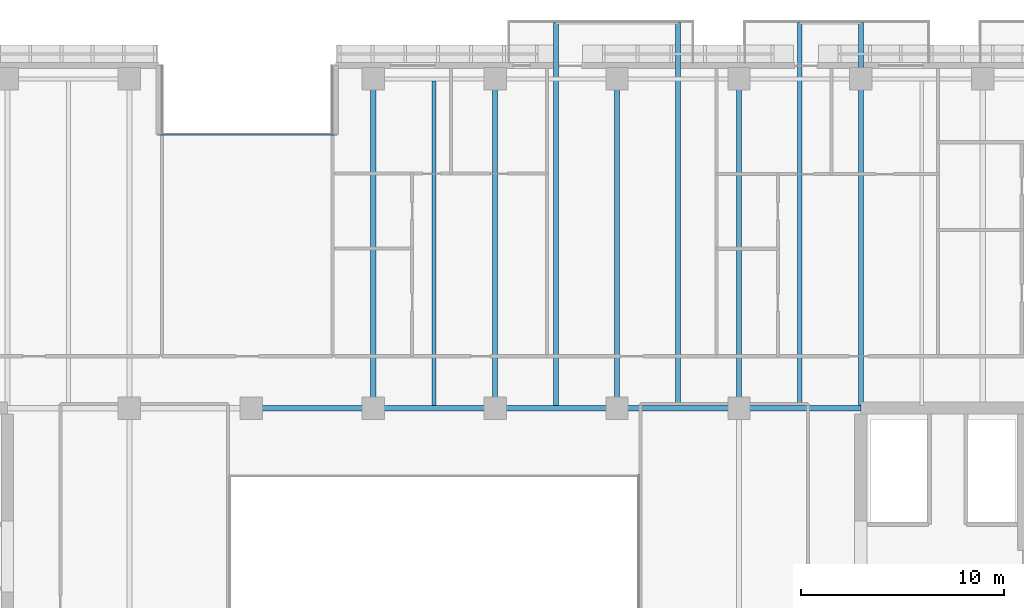
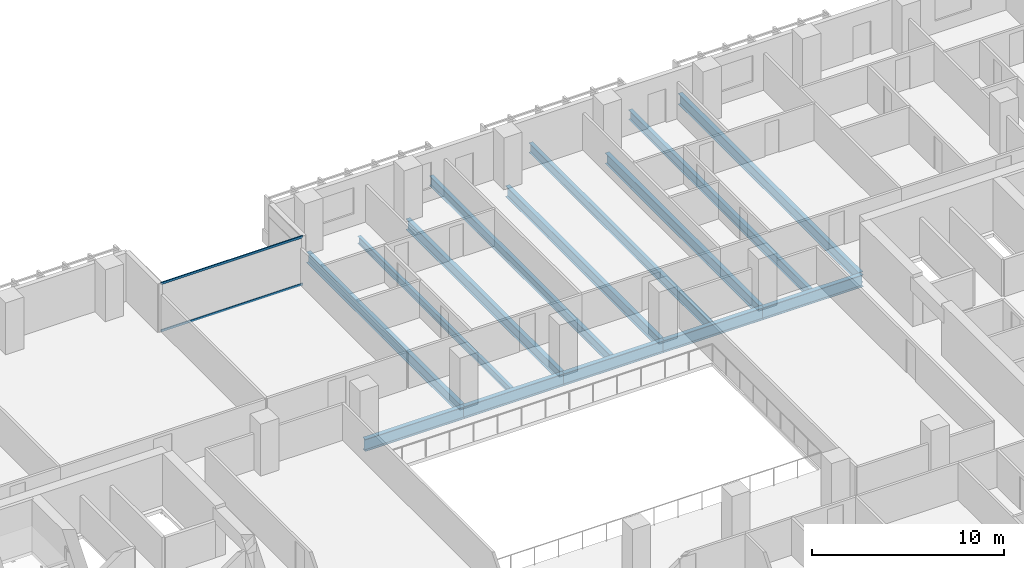
# One storey, part 10 of 34: 14 beams, 2 members, 1 element without a shape of its own.
"""IFC4 building model written with IfcOpenShell, lengths in metres."""

from ifc_helpers import new_model, si_unit, direction, frame, origin, origin_2d, place, context, subcontext, project, spatial, hollow_rectangle, i_section, extrude, material, layer, layer_set, material_profile, profile_set, type_object, element, aggregate, save


model = new_model("IFC4")

# Units and contexts
model_context = context("Model", 3, precision=1e-05, world=origin(), true_north=direction((0.0, 1.0)))
body_context = subcontext(model_context, "Body", "Model", "MODEL_VIEW")
ifc_project = project(units=[si_unit("LENGTHUNIT", "METRE"), si_unit("AREAUNIT", "SQUARE_METRE"), si_unit("VOLUMEUNIT", "CUBIC_METRE"), si_unit("PLANEANGLEUNIT", "RADIAN"), si_unit("MASSUNIT", "GRAM", prefix="KILO")], contexts=[model_context])

# Site, building, storey
site_placement = place(None, origin())
site = spatial("IfcSite", under=ifc_project, at=site_placement, CompositionType="ELEMENT")
building_placement = place(site_placement, origin())
building = spatial("IfcBuilding", under=site, at=building_placement, Name="Tanjung Sevakor Pilgrim Tower", CompositionType="ELEMENT")
storey_placement = place(building_placement, frame((0.0, 0.0, 55.43994140625)))
storey = spatial("IfcBuildingStorey", under=building, at=storey_placement, Name="L15", CompositionType="ELEMENT", Elevation=55.43994140625)

# Beams
ifc_material_1 = material(Name="Steel S355J2", Category="steel")
ifc_material_profile_1 = material_profile(ifc_material_1, i_section(OverallWidth=0.26806640625, OverallDepth=0.769775390625, WebThickness=0.015625, FlangeThickness=0.025390625, FilletRadius=0.0166015625, at=origin_2d()))
ifc_profile_set_1 = profile_set([ifc_material_profile_1], Name="Steel S355J2")
beam_type_1 = type_object("IfcBeamType", Name="BM-B-G1-UB_762x267x197", PredefinedType="BEAM", material=ifc_profile_set_1)
for number, where, z_axis, x_axis, name in (
    (1, (48.0, 42.60009765625, -0.604736328125), (1.0, 0.0, 0.0), (0.0, 1.0, 0.0), "L15 Primary Floor Girder MAIN Y426-04"),
    (2, (54.0, 42.60009765625, -0.604736328125), (1.0, 0.0, 0.0), (0.0, 1.0, 0.0), "L15 Primary Floor Girder MAIN Y426-05"),
    (3, (60.0, 42.60009765625, -0.604736328125), (1.0, 0.0, 0.0), (0.0, 1.0, 0.0), "L15 Primary Floor Girder MAIN Y426-06"),
    (4, (66.0, 42.60009765625, -0.604736328125), (1.0, 0.0, 0.0), (0.0, 1.0, 0.0), "L15 Primary Floor Girder MAIN Y426-07"),
    (5, (72.0, 42.60009765625, -0.604736328125), (1.0, 0.0, 0.0), (0.0, 1.0, 0.0), "L15 Primary Floor Girder MAIN Y426-08"),
):
    element("IfcBeam", number, at=place(storey_placement, frame(where, z_axis=z_axis, x_axis=x_axis)), inside=storey, type_object=beam_type_1, Name=name, PredefinedType="BEAM", context=body_context, shape_type="SweptSolid", body=[
        extrude(i_section(OverallWidth=0.26806640625, OverallDepth=0.769775390625, WebThickness=0.015625, FlangeThickness=0.025390625, FilletRadius=0.0166015625, at=origin_2d()), origin(), (0.0, 0.0, 1.0), 6.0),
    ])
ifc_material_2 = material(Name="Steel S355J2", Category="steel")
ifc_material_profile_2 = material_profile(ifc_material_2, i_section(OverallWidth=0.25439453125, OverallDepth=0.6875, WebThickness=0.01318359375, FlangeThickness=0.02099609375, FilletRadius=0.01513671875, at=origin_2d()))
ifc_profile_set_2 = profile_set([ifc_material_profile_2], Name="Steel S355J2")
beam_type_2 = type_object("IfcBeamType", Name="BM-B-G2-UB_686x254x152", PredefinedType="BEAM", material=ifc_profile_set_2)
for number, where, z_axis, x_axis, name in (
    (6, (54.0, 42.60009765625, -0.563720703125), (0.0, 1.0, 0.0), (-1.0, 0.0, 0.0), "L15 MAIN Girder 013"),
    (7, (60.0, 42.60009765625, -0.563720703125), (0.0, 1.0, 0.0), (-1.0, 0.0, 0.0), "L15 MAIN Girder 017"),
    (8, (66.0, 42.60009765625, -0.563720703125), (0.0, 1.0, 0.0), (-1.0, 0.0, 0.0), "L15 MAIN Girder 019"),
    (9, (72.0, 42.60009765625, -0.563720703125), (0.0, 1.0, 0.0), (-1.0, 0.0, 0.0), "L15 MAIN Girder 022"),
):
    element("IfcBeam", number, at=place(storey_placement, frame(where, z_axis=z_axis, x_axis=x_axis)), inside=storey, type_object=beam_type_2, Name=name, PredefinedType="BEAM", context=body_context, shape_type="SweptSolid", body=[
        extrude(i_section(OverallWidth=0.25439453125, OverallDepth=0.6875, WebThickness=0.01318359375, FlangeThickness=0.02099609375, FilletRadius=0.01513671875, at=origin_2d()), origin(), (0.0, 0.0, 1.0), 16.199951171875),
    ])
beam_1_placement = place(storey_placement, frame((78.0, 42.73388671875, -0.563720703125), z_axis=(0.0, 1.0, 0.0), x_axis=(-1.0, 0.0, 0.0)))
element("IfcBeam", 10, at=beam_1_placement, inside=storey, type_object=beam_type_2, Name="L15 Balcony Cantilever Beam MAIN-N3-2", PredefinedType="BEAM", context=body_context, shape_type="SweptSolid", body=[
    extrude(i_section(OverallWidth=0.25439453125, OverallDepth=0.6875, WebThickness=0.01318359375, FlangeThickness=0.02099609375, FilletRadius=0.01513671875, at=origin_2d()), origin(), (0.0, 0.0, 1.0), 18.84619140625),
])
ifc_material_3 = material(Name="Steel S355J2", Category="steel")
ifc_material_profile_3 = material_profile(ifc_material_3, i_section(OverallWidth=0.22900390625, OverallDepth=0.6123046875, WebThickness=0.011962890625, FlangeThickness=0.01953125, FilletRadius=0.0126953125, at=origin_2d()))
ifc_profile_set_3 = profile_set([ifc_material_profile_3], Name="Steel S355J2")
beam_type_3 = type_object("IfcBeamType", Name="BM-B-G4-UB_610x229x125", PredefinedType="BEAM", material=ifc_profile_set_3)
for number, where, z_axis, x_axis, name in (
    (11, (63.0, 42.73388671875, -0.526123046875), (0.0, 1.0, 0.0), (-1.0, 0.0, 0.0), "L15 Balcony Cantilever Beam MAIN-N2-1"),
    (12, (69.0, 42.73388671875, -0.526123046875), (0.0, 1.0, 0.0), (-1.0, 0.0, 0.0), "L15 Balcony Cantilever Beam MAIN-N2-2"),
    (13, (75.0, 42.73388671875, -0.526123046875), (0.0, 1.0, 0.0), (-1.0, 0.0, 0.0), "L15 Balcony Cantilever Beam MAIN-N3-1"),
):
    element("IfcBeam", number, at=place(storey_placement, frame(where, z_axis=z_axis, x_axis=x_axis)), inside=storey, type_object=beam_type_3, Name=name, PredefinedType="BEAM", context=body_context, shape_type="SweptSolid", body=[
        extrude(i_section(OverallWidth=0.22900390625, OverallDepth=0.6123046875, WebThickness=0.011962890625, FlangeThickness=0.01953125, FilletRadius=0.0126953125, at=origin_2d()), origin(), (0.0, 0.0, 1.0), 18.84619140625),
    ])
ifc_material_4 = material(Name="Steel S355J2", Category="steel")
ifc_material_profile_4 = material_profile(ifc_material_4, i_section(OverallWidth=0.19140625, OverallDepth=0.4599609375, WebThickness=0.010009765625, FlangeThickness=0.01611328125, FilletRadius=0.01025390625, at=origin_2d()))
ifc_profile_set_4 = profile_set([ifc_material_profile_4], Name="Steel S355J2")
beam_type_4 = type_object("IfcBeamType", Name="BM-B-J2-UB_457x191x82", PredefinedType="JOIST", material=ifc_profile_set_4)
beam_2_placement = place(storey_placement, frame((57.0, 42.73388671875, -0.449951171875), z_axis=(0.0, 1.0, 0.0), x_axis=(-1.0, 0.0, 0.0)))
element("IfcBeam", 14, at=beam_2_placement, inside=storey, type_object=beam_type_4, Name="L15 MAIN Joist 015", PredefinedType="JOIST", context=body_context, shape_type="SweptSolid", body=[
    extrude(i_section(OverallWidth=0.19140625, OverallDepth=0.4599609375, WebThickness=0.010009765625, FlangeThickness=0.01611328125, FilletRadius=0.01025390625, at=origin_2d()), origin(), (0.0, 0.0, 1.0), 15.966064453125),
])

# Curtain wall, members
ifc_material_5 = material(Name="Aluminium 6063-T6 and Low-E Glass", Category="aluminium")
ifc_layer = layer(ifc_material_5, 0.179931640625)
ifc_layer_set = layer_set([ifc_layer], Name="CW-SYS-CLEFT")
curtain_wall_type = type_object("IfcCurtainWallType", Name="CW-SYS-CLEFT", PredefinedType="NOTDEFINED", material=ifc_layer_set)
curtain_wall_placement = place(storey_placement, origin())
curtain_wall = element("IfcCurtainWall", 15, at=curtain_wall_placement, inside=storey, type_object=curtain_wall_type, Name="L15 Curtain Wall CW-CLF-L15-10", PredefinedType="NOTDEFINED")
ifc_material_6 = material(Name="Aluminium 6063-T6", Category="aluminium")
ifc_material_profile_5 = material_profile(ifc_material_6, hollow_rectangle(XDim=0.06494140625, YDim=0.139892578125, WallThickness=0.00390625, at=origin_2d()))
ifc_profile_set_5 = profile_set([ifc_material_profile_5], Name="Aluminium 6063-T6")
member_type = type_object("IfcMemberType", Name="TYPE-CWT-1", PredefinedType="USERDEFINED", material=ifc_profile_set_5)
member_1_placement = place(storey_placement, frame((52.06494140625, 56.06005859375, 0.032470703125), z_axis=(-1.0, 0.0, 0.0), x_axis=(0.0, -1.0, 0.0)))
member_1 = element("IfcMember", 16, at=member_1_placement, type_object=member_type, Name="CW-CLF transom 1.1", ObjectType="TRANSOM", PredefinedType="USERDEFINED", context=body_context, shape_type="SweptSolid", body=[
    extrude(hollow_rectangle(XDim=0.06494140625, YDim=0.139892578125, WallThickness=0.00390625, at=origin_2d()), origin(), (0.0, 0.0, 1.0), 8.530029296875),
])
member_2_placement = place(storey_placement, frame((52.06494140625, 56.06005859375, 3.047607421875), z_axis=(-1.0, 0.0, 0.0), x_axis=(0.0, -1.0, 0.0)))
member_2 = element("IfcMember", 17, at=member_2_placement, type_object=member_type, Name="CW-CLF transom 1.2", ObjectType="TRANSOM", PredefinedType="USERDEFINED", context=body_context, shape_type="SweptSolid", body=[
    extrude(hollow_rectangle(XDim=0.06494140625, YDim=0.139892578125, WallThickness=0.00390625, at=origin_2d()), origin(), (0.0, 0.0, 1.0), 8.530029296875),
])
aggregate(curtain_wall, [member_1, member_2])

save(model, "model.ifc")
